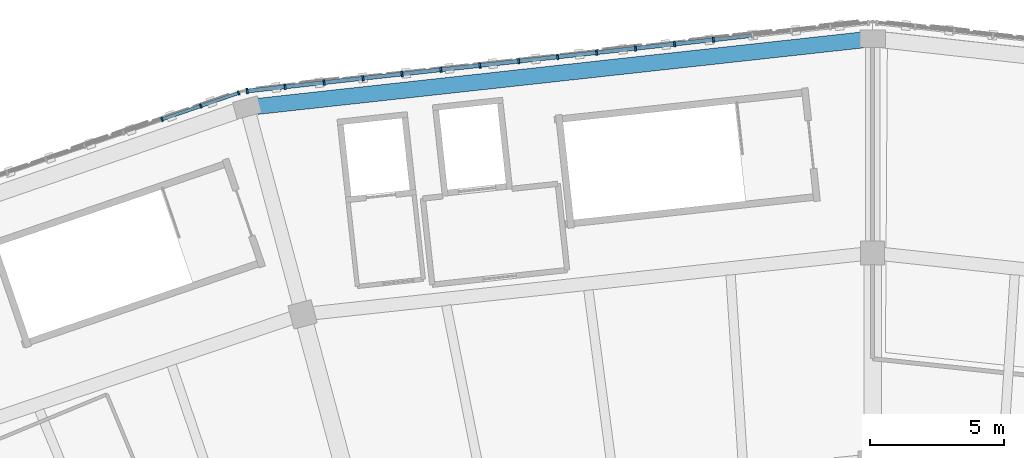
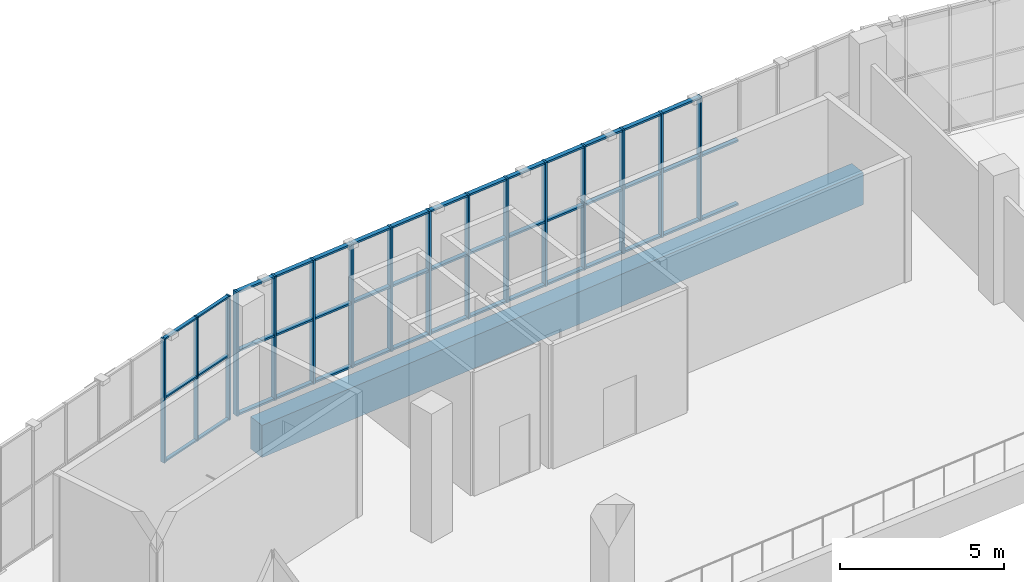
# One storey, part 27 of 64: 60 members, 1 beam, 2 elements without a shape of their own.
"""IFC4 building model written with IfcOpenShell, lengths in metres."""

from ifc_helpers import new_model, si_unit, direction, frame, origin, origin_2d, place, context, subcontext, project, spatial, rectangle, extrude, material, material_profile, profile_set, type_object, element, aggregate, save


model = new_model("IFC4")

# Units and contexts
model_context = context("Model", 3, precision=1e-05, world=origin(), true_north=direction((0.0, 1.0)))
body_context = subcontext(model_context, "Body", "Model", "MODEL_VIEW")
ifc_project = project(units=[si_unit("LENGTHUNIT", "METRE"), si_unit("AREAUNIT", "SQUARE_METRE"), si_unit("VOLUMEUNIT", "CUBIC_METRE"), si_unit("PLANEANGLEUNIT", "RADIAN"), si_unit("MASSUNIT", "GRAM", prefix="KILO")], contexts=[model_context])

# Site, building, storey
site_placement = place(None, origin())
site = spatial("IfcSite", under=ifc_project, at=site_placement, CompositionType="ELEMENT")
building_placement = place(site_placement, origin())
building = spatial("IfcBuilding", under=site, at=building_placement, Name="Zevraka Park Crest Stadium", CompositionType="ELEMENT")
storey_placement = place(building_placement, frame((0.0, 0.0, 24.60009765625)))
storey = spatial("IfcBuildingStorey", under=building, at=storey_placement, Name="L05", CompositionType="ELEMENT", Elevation=24.60009765625)

# Curtain wall, members
ifc_material_1 = material(Name="Anodised architectural aluminium and laminated safety glass", Category="aluminium")
curtain_wall_type_1 = type_object("IfcCurtainWallType", Name="CW22", PredefinedType="NOTDEFINED", material=ifc_material_1)
curtain_wall_1_placement = place(storey_placement, origin())
curtain_wall_1 = element("IfcCurtainWall", 1, at=curtain_wall_1_placement, inside=storey, type_object=curtain_wall_type_1, Name="Unitised Ring Curtain Wall CW22 L05-07", PredefinedType="NOTDEFINED")
ifc_material_2 = material(Name="Anodised architectural aluminium", Category="aluminium")
ifc_material_profile_1 = material_profile(ifc_material_2, rectangle(XDim=0.159912109375, YDim=0.06005859375, at=origin_2d()), Name="ALU MULLION 160x60")
ifc_profile_set_1 = profile_set([ifc_material_profile_1], Name="Anodised architectural aluminium")
member_type_1 = type_object("IfcMemberType", Name="CM01", PredefinedType="MULLION", material=ifc_profile_set_1)
member_1_placement = place(storey_placement, frame((88.312744140625, 165.279296875, 0.0), z_axis=(0.0, 0.0, 1.0), x_axis=(0.326929424834, -0.945048755979, 0.0)))
member_1 = element("IfcMember", 2, at=member_1_placement, type_object=member_type_1, Name="CW22 mullion 1", PredefinedType="MULLION", context=body_context, shape_type="SweptSolid", body=[
    extrude(rectangle(XDim=0.159912109375, YDim=0.06005859375, at=origin_2d()), origin(), (0.0, 0.0, 1.0), 4.619873046875),
])
member_2_placement = place(storey_placement, frame((86.8955078125, 164.788818359375, 0.0), z_axis=(0.0, 0.0, 1.0), x_axis=(0.326929424834, -0.945048755979, 0.0)))
member_2 = element("IfcMember", 3, at=member_2_placement, type_object=member_type_1, Name="CW22 mullion 2", PredefinedType="MULLION", context=body_context, shape_type="SweptSolid", body=[
    extrude(rectangle(XDim=0.159912109375, YDim=0.06005859375, at=origin_2d()), origin(), (0.0, 0.0, 1.0), 4.619873046875),
])
member_3_placement = place(storey_placement, frame((85.449951171875, 164.288818359375, 0.0), z_axis=(0.0, 0.0, 1.0), x_axis=(0.326929424834, -0.945048755979, 0.0)))
member_3 = element("IfcMember", 4, at=member_3_placement, type_object=member_type_1, Name="CW22 mullion 3", PredefinedType="MULLION", context=body_context, shape_type="SweptSolid", body=[
    extrude(rectangle(XDim=0.159912109375, YDim=0.06005859375, at=origin_2d()), origin(), (0.0, 0.0, 1.0), 4.619873046875),
])

ifc_material_3 = material(Name="Anodised architectural aluminium and laminated safety glass", Category="aluminium")
curtain_wall_type_2 = type_object("IfcCurtainWallType", Name="CW21", PredefinedType="NOTDEFINED", material=ifc_material_3)
curtain_wall_2_placement = place(storey_placement, origin())
curtain_wall_2 = element("IfcCurtainWall", 5, at=curtain_wall_2_placement, inside=storey, type_object=curtain_wall_type_2, Name="Unitised Ring Curtain Wall CW21 L05-06", PredefinedType="NOTDEFINED")
ifc_material_4 = material(Name="Anodised architectural aluminium", Category="aluminium")
ifc_material_profile_2 = material_profile(ifc_material_4, rectangle(XDim=0.199951171875, YDim=0.070068359375, at=origin_2d()), Name="ALU MULLION 200x70")
ifc_profile_set_2 = profile_set([ifc_material_profile_2], Name="Anodised architectural aluminium")
member_type_2 = type_object("IfcMemberType", Name="CM03", PredefinedType="MULLION", material=ifc_profile_set_2)
member_4_placement = place(storey_placement, frame((106.05126953125, 167.26513671875, 0.0), z_axis=(0.0, 0.0, 1.0), x_axis=(0.109287733215, -0.994010156572, 0.0)))
member_4 = element("IfcMember", 6, at=member_4_placement, type_object=member_type_2, Name="CW21 mullion 5", PredefinedType="MULLION", context=body_context, shape_type="SweptSolid", body=[
    extrude(rectangle(XDim=0.199951171875, YDim=0.070068359375, at=origin_2d()), origin(), (0.0, 0.0, 1.0), 4.619873046875),
])
member_5_placement = place(storey_placement, frame((104.5966796875, 167.105224609375, 0.0), z_axis=(0.0, 0.0, 1.0), x_axis=(0.109287733215, -0.994010156572, 0.0)))
member_5 = element("IfcMember", 7, at=member_5_placement, type_object=member_type_2, Name="CW21 mullion 6", PredefinedType="MULLION", context=body_context, shape_type="SweptSolid", body=[
    extrude(rectangle(XDim=0.199951171875, YDim=0.070068359375, at=origin_2d()), origin(), (0.0, 0.0, 1.0), 4.619873046875),
])
member_6_placement = place(storey_placement, frame((103.141845703125, 166.9453125, 0.0), z_axis=(0.0, 0.0, 1.0), x_axis=(0.109287733215, -0.994010156572, 0.0)))
member_6 = element("IfcMember", 8, at=member_6_placement, type_object=member_type_2, Name="CW21 mullion 7", PredefinedType="MULLION", context=body_context, shape_type="SweptSolid", body=[
    extrude(rectangle(XDim=0.199951171875, YDim=0.070068359375, at=origin_2d()), origin(), (0.0, 0.0, 1.0), 4.619873046875),
])
member_7_placement = place(storey_placement, frame((101.687255859375, 166.785400390625, 0.0), z_axis=(0.0, 0.0, 1.0), x_axis=(0.109287733215, -0.994010156572, 0.0)))
member_7 = element("IfcMember", 9, at=member_7_placement, type_object=member_type_2, Name="CW21 mullion 8", PredefinedType="MULLION", context=body_context, shape_type="SweptSolid", body=[
    extrude(rectangle(XDim=0.199951171875, YDim=0.070068359375, at=origin_2d()), origin(), (0.0, 0.0, 1.0), 4.619873046875),
])
member_8_placement = place(storey_placement, frame((100.232421875, 166.62548828125, 0.0), z_axis=(0.0, 0.0, 1.0), x_axis=(0.109287733215, -0.994010156572, 0.0)))
member_8 = element("IfcMember", 10, at=member_8_placement, type_object=member_type_2, Name="CW21 mullion 9", PredefinedType="MULLION", context=body_context, shape_type="SweptSolid", body=[
    extrude(rectangle(XDim=0.199951171875, YDim=0.070068359375, at=origin_2d()), origin(), (0.0, 0.0, 1.0), 4.619873046875),
])
member_9_placement = place(storey_placement, frame((98.77783203125, 166.465576171875, 0.0), z_axis=(0.0, 0.0, 1.0), x_axis=(0.109287733215, -0.994010156572, 0.0)))
member_9 = element("IfcMember", 11, at=member_9_placement, type_object=member_type_2, Name="CW21 mullion 10", PredefinedType="MULLION", context=body_context, shape_type="SweptSolid", body=[
    extrude(rectangle(XDim=0.199951171875, YDim=0.070068359375, at=origin_2d()), origin(), (0.0, 0.0, 1.0), 4.619873046875),
])
member_10_placement = place(storey_placement, frame((97.3232421875, 166.3056640625, 0.0), z_axis=(0.0, 0.0, 1.0), x_axis=(0.109287733215, -0.994010156572, 0.0)))
member_10 = element("IfcMember", 12, at=member_10_placement, type_object=member_type_2, Name="CW21 mullion 11", PredefinedType="MULLION", context=body_context, shape_type="SweptSolid", body=[
    extrude(rectangle(XDim=0.199951171875, YDim=0.070068359375, at=origin_2d()), origin(), (0.0, 0.0, 1.0), 4.619873046875),
])
member_11_placement = place(storey_placement, frame((95.868408203125, 166.145751953125, 0.0), z_axis=(0.0, 0.0, 1.0), x_axis=(0.109287733215, -0.994010156572, 0.0)))
member_11 = element("IfcMember", 13, at=member_11_placement, type_object=member_type_2, Name="CW21 mullion 12", PredefinedType="MULLION", context=body_context, shape_type="SweptSolid", body=[
    extrude(rectangle(XDim=0.199951171875, YDim=0.070068359375, at=origin_2d()), origin(), (0.0, 0.0, 1.0), 4.619873046875),
])
member_12_placement = place(storey_placement, frame((94.413818359375, 165.98583984375, 0.0), z_axis=(0.0, 0.0, 1.0), x_axis=(0.109287733215, -0.994010156572, 0.0)))
member_12 = element("IfcMember", 14, at=member_12_placement, type_object=member_type_2, Name="CW21 mullion 13", PredefinedType="MULLION", context=body_context, shape_type="SweptSolid", body=[
    extrude(rectangle(XDim=0.199951171875, YDim=0.070068359375, at=origin_2d()), origin(), (0.0, 0.0, 1.0), 4.619873046875),
])
member_13_placement = place(storey_placement, frame((92.958984375, 165.825927734375, 0.0), z_axis=(0.0, 0.0, 1.0), x_axis=(0.109287733215, -0.994010156572, 0.0)))
member_13 = element("IfcMember", 15, at=member_13_placement, type_object=member_type_2, Name="CW21 mullion 14", PredefinedType="MULLION", context=body_context, shape_type="SweptSolid", body=[
    extrude(rectangle(XDim=0.199951171875, YDim=0.070068359375, at=origin_2d()), origin(), (0.0, 0.0, 1.0), 4.619873046875),
])
member_14_placement = place(storey_placement, frame((91.50439453125, 165.665771484375, 0.0), z_axis=(0.0, 0.0, 1.0), x_axis=(0.109287733215, -0.994010156572, 0.0)))
member_14 = element("IfcMember", 16, at=member_14_placement, type_object=member_type_2, Name="CW21 mullion 15", PredefinedType="MULLION", context=body_context, shape_type="SweptSolid", body=[
    extrude(rectangle(XDim=0.199951171875, YDim=0.070068359375, at=origin_2d()), origin(), (0.0, 0.0, 1.0), 4.619873046875),
])
member_15_placement = place(storey_placement, frame((90.0498046875, 165.505859375, 0.0), z_axis=(0.0, 0.0, 1.0), x_axis=(0.109287733215, -0.994010156572, 0.0)))
member_15 = element("IfcMember", 17, at=member_15_placement, type_object=member_type_2, Name="CW21 mullion 16", PredefinedType="MULLION", context=body_context, shape_type="SweptSolid", body=[
    extrude(rectangle(XDim=0.199951171875, YDim=0.070068359375, at=origin_2d()), origin(), (0.0, 0.0, 1.0), 4.619873046875),
])
member_16_placement = place(storey_placement, frame((88.6298828125, 165.349853515625, 0.0), z_axis=(0.0, 0.0, 1.0), x_axis=(0.109287733215, -0.994010156572, 0.0)))
member_16 = element("IfcMember", 18, at=member_16_placement, type_object=member_type_2, Name="CW21 mullion 17", PredefinedType="MULLION", context=body_context, shape_type="SweptSolid", body=[
    extrude(rectangle(XDim=0.199951171875, YDim=0.070068359375, at=origin_2d()), origin(), (0.0, 0.0, 1.0), 4.619873046875),
])

# Member
ifc_material_5 = material(Name="Anodised architectural aluminium", Category="aluminium")
ifc_material_profile_3 = material_profile(ifc_material_5, rectangle(XDim=0.1201171875, YDim=0.06005859375, at=origin_2d()), Name="ALU TRANSOM 120x60")
ifc_profile_set_3 = profile_set([ifc_material_profile_3], Name="Anodised architectural aluminium")
member_type_3 = type_object("IfcMemberType", Name="CT01", PredefinedType="USERDEFINED", material=ifc_profile_set_3)
member_17_placement = place(storey_placement, frame((88.2841796875, 165.269287109375, 0.02978515625), z_axis=(-0.94507879558, -0.326842577007, 0.0), x_axis=(0.326842577007, -0.94507879558, 0.0)))
member_17 = element("IfcMember", 19, at=member_17_placement, type_object=member_type_3, Name="CW22 transom 1.1", ObjectType="TRANSOM", PredefinedType="USERDEFINED", context=body_context, shape_type="SweptSolid", body=[
    extrude(rectangle(XDim=0.1201171875, YDim=0.06005859375, at=origin_2d()), origin(), (0.0, 0.0, 1.0), 1.439453125),
])

member_18_placement = place(storey_placement, frame((88.2841796875, 165.269287109375, 2.39990234375), z_axis=(-0.94507879558, -0.326842577007, 0.0), x_axis=(0.326842577007, -0.94507879558, 0.0)))
member_18 = element("IfcMember", 20, at=member_18_placement, type_object=member_type_3, Name="CW22 transom 1.2", ObjectType="TRANSOM", PredefinedType="USERDEFINED", context=body_context, shape_type="SweptSolid", body=[
    extrude(rectangle(XDim=0.1201171875, YDim=0.06005859375, at=origin_2d()), origin(), (0.0, 0.0, 1.0), 1.439453125),
])

member_19_placement = place(storey_placement, frame((88.2841796875, 165.269287109375, 4.58984375), z_axis=(-0.94507879558, -0.326842577007, 0.0), x_axis=(0.326842577007, -0.94507879558, 0.0)))
member_19 = element("IfcMember", 21, at=member_19_placement, type_object=member_type_3, Name="CW22 transom 1.3", ObjectType="TRANSOM", PredefinedType="USERDEFINED", context=body_context, shape_type="SweptSolid", body=[
    extrude(rectangle(XDim=0.1201171875, YDim=0.06005859375, at=origin_2d()), origin(), (0.0, 0.0, 1.0), 1.439453125),
])

member_20_placement = place(storey_placement, frame((86.8671875, 164.779052734375, 0.02978515625), z_axis=(-0.945051229525, -0.326922274513, 0.0), x_axis=(0.326922274513, -0.945051229525, 0.0)))
member_20 = element("IfcMember", 22, at=member_20_placement, type_object=member_type_3, Name="CW22 transom 2.1", ObjectType="TRANSOM", PredefinedType="USERDEFINED", context=body_context, shape_type="SweptSolid", body=[
    extrude(rectangle(XDim=0.1201171875, YDim=0.06005859375, at=origin_2d()), origin(), (0.0, 0.0, 1.0), 1.4697265625),
])

member_21_placement = place(storey_placement, frame((86.8671875, 164.779052734375, 2.39990234375), z_axis=(-0.945051229525, -0.326922274513, 0.0), x_axis=(0.326922274513, -0.945051229525, 0.0)))
member_21 = element("IfcMember", 23, at=member_21_placement, type_object=member_type_3, Name="CW22 transom 2.2", ObjectType="TRANSOM", PredefinedType="USERDEFINED", context=body_context, shape_type="SweptSolid", body=[
    extrude(rectangle(XDim=0.1201171875, YDim=0.06005859375, at=origin_2d()), origin(), (0.0, 0.0, 1.0), 1.4697265625),
])

member_22_placement = place(storey_placement, frame((86.8671875, 164.779052734375, 4.58984375), z_axis=(-0.945051229525, -0.326922274513, 0.0), x_axis=(0.326922274513, -0.945051229525, 0.0)))
member_22 = element("IfcMember", 24, at=member_22_placement, type_object=member_type_3, Name="CW22 transom 2.3", ObjectType="TRANSOM", PredefinedType="USERDEFINED", context=body_context, shape_type="SweptSolid", body=[
    extrude(rectangle(XDim=0.1201171875, YDim=0.06005859375, at=origin_2d()), origin(), (0.0, 0.0, 1.0), 1.4697265625),
])

aggregate(curtain_wall_1, [member_1, member_2, member_3, member_17, member_18, member_19, member_20, member_21, member_22])

ifc_material_6 = material(Name="Anodised architectural aluminium", Category="aluminium")
ifc_material_profile_4 = material_profile(ifc_material_6, rectangle(XDim=0.14990234375, YDim=0.070068359375, at=origin_2d()), Name="ALU TRANSOM 150x70")
ifc_profile_set_4 = profile_set([ifc_material_profile_4], Name="Anodised architectural aluminium")
member_type_4 = type_object("IfcMemberType", Name="CT03", PredefinedType="USERDEFINED", material=ifc_profile_set_4)
member_23_placement = place(storey_placement, frame((107.47119140625, 167.42138671875, 0.034912109375), z_axis=(-0.994007021255, -0.109316246257, 0.0), x_axis=(0.109316246257, -0.994007021255, 0.0)))
member_23 = element("IfcMember", 25, at=member_23_placement, type_object=member_type_4, Name="CW21 transom 4.1", ObjectType="TRANSOM", PredefinedType="USERDEFINED", context=body_context, shape_type="SweptSolid", body=[
    extrude(rectangle(XDim=0.14990234375, YDim=0.070068359375, at=origin_2d()), origin(), (0.0, 0.0, 1.0), 1.3935546875),
])

member_24_placement = place(storey_placement, frame((107.47119140625, 167.42138671875, 2.39990234375), z_axis=(-0.994007021255, -0.109316246257, 0.0), x_axis=(0.109316246257, -0.994007021255, 0.0)))
member_24 = element("IfcMember", 26, at=member_24_placement, type_object=member_type_4, Name="CW21 transom 4.2", ObjectType="TRANSOM", PredefinedType="USERDEFINED", context=body_context, shape_type="SweptSolid", body=[
    extrude(rectangle(XDim=0.14990234375, YDim=0.070068359375, at=origin_2d()), origin(), (0.0, 0.0, 1.0), 1.3935546875),
])

member_25_placement = place(storey_placement, frame((106.016357421875, 167.261474609375, 0.034912109375), z_axis=(-0.994004927225, -0.109335285491, 0.0), x_axis=(0.109335285491, -0.994004927225, 0.0)))
member_25 = element("IfcMember", 27, at=member_25_placement, type_object=member_type_4, Name="CW21 transom 5.1", ObjectType="TRANSOM", PredefinedType="USERDEFINED", context=body_context, shape_type="SweptSolid", body=[
    extrude(rectangle(XDim=0.14990234375, YDim=0.070068359375, at=origin_2d()), origin(), (0.0, 0.0, 1.0), 1.393310546875),
])

member_26_placement = place(storey_placement, frame((106.016357421875, 167.261474609375, 2.39990234375), z_axis=(-0.994004927225, -0.109335285491, 0.0), x_axis=(0.109335285491, -0.994004927225, 0.0)))
member_26 = element("IfcMember", 28, at=member_26_placement, type_object=member_type_4, Name="CW21 transom 5.2", ObjectType="TRANSOM", PredefinedType="USERDEFINED", context=body_context, shape_type="SweptSolid", body=[
    extrude(rectangle(XDim=0.14990234375, YDim=0.070068359375, at=origin_2d()), origin(), (0.0, 0.0, 1.0), 1.393310546875),
])

member_27_placement = place(storey_placement, frame((106.016357421875, 167.261474609375, 4.5849609375), z_axis=(-0.994004927225, -0.109335285491, 0.0), x_axis=(0.109335285491, -0.994004927225, 0.0)))
member_27 = element("IfcMember", 29, at=member_27_placement, type_object=member_type_4, Name="CW21 transom 5.3", ObjectType="TRANSOM", PredefinedType="USERDEFINED", context=body_context, shape_type="SweptSolid", body=[
    extrude(rectangle(XDim=0.14990234375, YDim=0.070068359375, at=origin_2d()), origin(), (0.0, 0.0, 1.0), 1.393310546875),
])

member_28_placement = place(storey_placement, frame((104.561767578125, 167.1015625, 0.034912109375), z_axis=(-0.994004927225, -0.109335285491, 0.0), x_axis=(0.109335285491, -0.994004927225, 0.0)))
member_28 = element("IfcMember", 30, at=member_28_placement, type_object=member_type_4, Name="CW21 transom 6.1", ObjectType="TRANSOM", PredefinedType="USERDEFINED", context=body_context, shape_type="SweptSolid", body=[
    extrude(rectangle(XDim=0.14990234375, YDim=0.070068359375, at=origin_2d()), origin(), (0.0, 0.0, 1.0), 1.393310546875),
])

member_29_placement = place(storey_placement, frame((104.561767578125, 167.1015625, 2.39990234375), z_axis=(-0.994004927225, -0.109335285491, 0.0), x_axis=(0.109335285491, -0.994004927225, 0.0)))
member_29 = element("IfcMember", 31, at=member_29_placement, type_object=member_type_4, Name="CW21 transom 6.2", ObjectType="TRANSOM", PredefinedType="USERDEFINED", context=body_context, shape_type="SweptSolid", body=[
    extrude(rectangle(XDim=0.14990234375, YDim=0.070068359375, at=origin_2d()), origin(), (0.0, 0.0, 1.0), 1.393310546875),
])

member_30_placement = place(storey_placement, frame((104.561767578125, 167.1015625, 4.5849609375), z_axis=(-0.994004927225, -0.109335285491, 0.0), x_axis=(0.109335285491, -0.994004927225, 0.0)))
member_30 = element("IfcMember", 32, at=member_30_placement, type_object=member_type_4, Name="CW21 transom 6.3", ObjectType="TRANSOM", PredefinedType="USERDEFINED", context=body_context, shape_type="SweptSolid", body=[
    extrude(rectangle(XDim=0.14990234375, YDim=0.070068359375, at=origin_2d()), origin(), (0.0, 0.0, 1.0), 1.393310546875),
])

member_31_placement = place(storey_placement, frame((103.107177734375, 166.941650390625, 0.034912109375), z_axis=(-0.994007021255, -0.109316246257, 0.0), x_axis=(0.109316246257, -0.994007021255, 0.0)))
member_31 = element("IfcMember", 33, at=member_31_placement, type_object=member_type_4, Name="CW21 transom 7.1", ObjectType="TRANSOM", PredefinedType="USERDEFINED", context=body_context, shape_type="SweptSolid", body=[
    extrude(rectangle(XDim=0.14990234375, YDim=0.070068359375, at=origin_2d()), origin(), (0.0, 0.0, 1.0), 1.3935546875),
])

member_32_placement = place(storey_placement, frame((103.107177734375, 166.941650390625, 2.39990234375), z_axis=(-0.994007021255, -0.109316246257, 0.0), x_axis=(0.109316246257, -0.994007021255, 0.0)))
member_32 = element("IfcMember", 34, at=member_32_placement, type_object=member_type_4, Name="CW21 transom 7.2", ObjectType="TRANSOM", PredefinedType="USERDEFINED", context=body_context, shape_type="SweptSolid", body=[
    extrude(rectangle(XDim=0.14990234375, YDim=0.070068359375, at=origin_2d()), origin(), (0.0, 0.0, 1.0), 1.3935546875),
])

member_33_placement = place(storey_placement, frame((103.107177734375, 166.941650390625, 4.5849609375), z_axis=(-0.994007021255, -0.109316246257, 0.0), x_axis=(0.109316246257, -0.994007021255, 0.0)))
member_33 = element("IfcMember", 35, at=member_33_placement, type_object=member_type_4, Name="CW21 transom 7.3", ObjectType="TRANSOM", PredefinedType="USERDEFINED", context=body_context, shape_type="SweptSolid", body=[
    extrude(rectangle(XDim=0.14990234375, YDim=0.070068359375, at=origin_2d()), origin(), (0.0, 0.0, 1.0), 1.3935546875),
])

member_34_placement = place(storey_placement, frame((101.65234375, 166.781494140625, 0.034912109375), z_axis=(-0.994023955042, -0.109162158292, 0.0), x_axis=(0.109162158292, -0.994023955042, 0.0)))
member_34 = element("IfcMember", 36, at=member_34_placement, type_object=member_type_4, Name="CW21 transom 8.1", ObjectType="TRANSOM", PredefinedType="USERDEFINED", context=body_context, shape_type="SweptSolid", body=[
    extrude(rectangle(XDim=0.14990234375, YDim=0.070068359375, at=origin_2d()), origin(), (0.0, 0.0, 1.0), 1.393310546875),
])

member_35_placement = place(storey_placement, frame((101.65234375, 166.781494140625, 2.39990234375), z_axis=(-0.994023955042, -0.109162158292, 0.0), x_axis=(0.109162158292, -0.994023955042, 0.0)))
member_35 = element("IfcMember", 37, at=member_35_placement, type_object=member_type_4, Name="CW21 transom 8.2", ObjectType="TRANSOM", PredefinedType="USERDEFINED", context=body_context, shape_type="SweptSolid", body=[
    extrude(rectangle(XDim=0.14990234375, YDim=0.070068359375, at=origin_2d()), origin(), (0.0, 0.0, 1.0), 1.393310546875),
])

member_36_placement = place(storey_placement, frame((101.65234375, 166.781494140625, 4.5849609375), z_axis=(-0.994023955042, -0.109162158292, 0.0), x_axis=(0.109162158292, -0.994023955042, 0.0)))
member_36 = element("IfcMember", 38, at=member_36_placement, type_object=member_type_4, Name="CW21 transom 8.3", ObjectType="TRANSOM", PredefinedType="USERDEFINED", context=body_context, shape_type="SweptSolid", body=[
    extrude(rectangle(XDim=0.14990234375, YDim=0.070068359375, at=origin_2d()), origin(), (0.0, 0.0, 1.0), 1.393310546875),
])

member_37_placement = place(storey_placement, frame((100.19775390625, 166.62158203125, 0.034912109375), z_axis=(-0.994026042486, -0.109143148479, 0.0), x_axis=(0.109143148479, -0.994026042486, 0.0)))
member_37 = element("IfcMember", 39, at=member_37_placement, type_object=member_type_4, Name="CW21 transom 9.1", ObjectType="TRANSOM", PredefinedType="USERDEFINED", context=body_context, shape_type="SweptSolid", body=[
    extrude(rectangle(XDim=0.14990234375, YDim=0.070068359375, at=origin_2d()), origin(), (0.0, 0.0, 1.0), 1.3935546875),
])

member_38_placement = place(storey_placement, frame((100.19775390625, 166.62158203125, 2.39990234375), z_axis=(-0.994026042486, -0.109143148479, 0.0), x_axis=(0.109143148479, -0.994026042486, 0.0)))
member_38 = element("IfcMember", 40, at=member_38_placement, type_object=member_type_4, Name="CW21 transom 9.2", ObjectType="TRANSOM", PredefinedType="USERDEFINED", context=body_context, shape_type="SweptSolid", body=[
    extrude(rectangle(XDim=0.14990234375, YDim=0.070068359375, at=origin_2d()), origin(), (0.0, 0.0, 1.0), 1.3935546875),
])

member_39_placement = place(storey_placement, frame((100.19775390625, 166.62158203125, 4.5849609375), z_axis=(-0.994026042486, -0.109143148479, 0.0), x_axis=(0.109143148479, -0.994026042486, 0.0)))
member_39 = element("IfcMember", 41, at=member_39_placement, type_object=member_type_4, Name="CW21 transom 9.3", ObjectType="TRANSOM", PredefinedType="USERDEFINED", context=body_context, shape_type="SweptSolid", body=[
    extrude(rectangle(XDim=0.14990234375, YDim=0.070068359375, at=origin_2d()), origin(), (0.0, 0.0, 1.0), 1.3935546875),
])

member_40_placement = place(storey_placement, frame((98.742919921875, 166.461669921875, 0.034912109375), z_axis=(-0.994023955042, -0.109162158292, 0.0), x_axis=(0.109162158292, -0.994023955042, 0.0)))
member_40 = element("IfcMember", 42, at=member_40_placement, type_object=member_type_4, Name="CW21 transom 10.1", ObjectType="TRANSOM", PredefinedType="USERDEFINED", context=body_context, shape_type="SweptSolid", body=[
    extrude(rectangle(XDim=0.14990234375, YDim=0.070068359375, at=origin_2d()), origin(), (0.0, 0.0, 1.0), 1.393310546875),
])

member_41_placement = place(storey_placement, frame((98.742919921875, 166.461669921875, 2.39990234375), z_axis=(-0.994023955042, -0.109162158292, 0.0), x_axis=(0.109162158292, -0.994023955042, 0.0)))
member_41 = element("IfcMember", 43, at=member_41_placement, type_object=member_type_4, Name="CW21 transom 10.2", ObjectType="TRANSOM", PredefinedType="USERDEFINED", context=body_context, shape_type="SweptSolid", body=[
    extrude(rectangle(XDim=0.14990234375, YDim=0.070068359375, at=origin_2d()), origin(), (0.0, 0.0, 1.0), 1.393310546875),
])

member_42_placement = place(storey_placement, frame((98.742919921875, 166.461669921875, 4.5849609375), z_axis=(-0.994023955042, -0.109162158292, 0.0), x_axis=(0.109162158292, -0.994023955042, 0.0)))
member_42 = element("IfcMember", 44, at=member_42_placement, type_object=member_type_4, Name="CW21 transom 10.3", ObjectType="TRANSOM", PredefinedType="USERDEFINED", context=body_context, shape_type="SweptSolid", body=[
    extrude(rectangle(XDim=0.14990234375, YDim=0.070068359375, at=origin_2d()), origin(), (0.0, 0.0, 1.0), 1.393310546875),
])

member_43_placement = place(storey_placement, frame((97.288330078125, 166.3017578125, 0.034912109375), z_axis=(-0.994004927225, -0.109335285491, 0.0), x_axis=(0.109335285491, -0.994004927225, 0.0)))
member_43 = element("IfcMember", 45, at=member_43_placement, type_object=member_type_4, Name="CW21 transom 11.1", ObjectType="TRANSOM", PredefinedType="USERDEFINED", context=body_context, shape_type="SweptSolid", body=[
    extrude(rectangle(XDim=0.14990234375, YDim=0.070068359375, at=origin_2d()), origin(), (0.0, 0.0, 1.0), 1.393310546875),
])

member_44_placement = place(storey_placement, frame((97.288330078125, 166.3017578125, 2.39990234375), z_axis=(-0.994004927225, -0.109335285491, 0.0), x_axis=(0.109335285491, -0.994004927225, 0.0)))
member_44 = element("IfcMember", 46, at=member_44_placement, type_object=member_type_4, Name="CW21 transom 11.2", ObjectType="TRANSOM", PredefinedType="USERDEFINED", context=body_context, shape_type="SweptSolid", body=[
    extrude(rectangle(XDim=0.14990234375, YDim=0.070068359375, at=origin_2d()), origin(), (0.0, 0.0, 1.0), 1.393310546875),
])

member_45_placement = place(storey_placement, frame((97.288330078125, 166.3017578125, 4.5849609375), z_axis=(-0.994004927225, -0.109335285491, 0.0), x_axis=(0.109335285491, -0.994004927225, 0.0)))
member_45 = element("IfcMember", 47, at=member_45_placement, type_object=member_type_4, Name="CW21 transom 11.3", ObjectType="TRANSOM", PredefinedType="USERDEFINED", context=body_context, shape_type="SweptSolid", body=[
    extrude(rectangle(XDim=0.14990234375, YDim=0.070068359375, at=origin_2d()), origin(), (0.0, 0.0, 1.0), 1.393310546875),
])

member_46_placement = place(storey_placement, frame((95.833740234375, 166.141845703125, 0.034912109375), z_axis=(-0.994007021255, -0.109316246257, 0.0), x_axis=(0.109316246257, -0.994007021255, 0.0)))
member_46 = element("IfcMember", 48, at=member_46_placement, type_object=member_type_4, Name="CW21 transom 12.1", ObjectType="TRANSOM", PredefinedType="USERDEFINED", context=body_context, shape_type="SweptSolid", body=[
    extrude(rectangle(XDim=0.14990234375, YDim=0.070068359375, at=origin_2d()), origin(), (0.0, 0.0, 1.0), 1.3935546875),
])

member_47_placement = place(storey_placement, frame((95.833740234375, 166.141845703125, 2.39990234375), z_axis=(-0.994007021255, -0.109316246257, 0.0), x_axis=(0.109316246257, -0.994007021255, 0.0)))
member_47 = element("IfcMember", 49, at=member_47_placement, type_object=member_type_4, Name="CW21 transom 12.2", ObjectType="TRANSOM", PredefinedType="USERDEFINED", context=body_context, shape_type="SweptSolid", body=[
    extrude(rectangle(XDim=0.14990234375, YDim=0.070068359375, at=origin_2d()), origin(), (0.0, 0.0, 1.0), 1.3935546875),
])

member_48_placement = place(storey_placement, frame((95.833740234375, 166.141845703125, 4.5849609375), z_axis=(-0.994007021255, -0.109316246257, 0.0), x_axis=(0.109316246257, -0.994007021255, 0.0)))
member_48 = element("IfcMember", 50, at=member_48_placement, type_object=member_type_4, Name="CW21 transom 12.3", ObjectType="TRANSOM", PredefinedType="USERDEFINED", context=body_context, shape_type="SweptSolid", body=[
    extrude(rectangle(XDim=0.14990234375, YDim=0.070068359375, at=origin_2d()), origin(), (0.0, 0.0, 1.0), 1.3935546875),
])

member_49_placement = place(storey_placement, frame((94.37890625, 165.98193359375, 0.034912109375), z_axis=(-0.994004927225, -0.109335285491, 0.0), x_axis=(0.109335285491, -0.994004927225, 0.0)))
member_49 = element("IfcMember", 51, at=member_49_placement, type_object=member_type_4, Name="CW21 transom 13.1", ObjectType="TRANSOM", PredefinedType="USERDEFINED", context=body_context, shape_type="SweptSolid", body=[
    extrude(rectangle(XDim=0.14990234375, YDim=0.070068359375, at=origin_2d()), origin(), (0.0, 0.0, 1.0), 1.393310546875),
])

member_50_placement = place(storey_placement, frame((94.37890625, 165.98193359375, 2.39990234375), z_axis=(-0.994004927225, -0.109335285491, 0.0), x_axis=(0.109335285491, -0.994004927225, 0.0)))
member_50 = element("IfcMember", 52, at=member_50_placement, type_object=member_type_4, Name="CW21 transom 13.2", ObjectType="TRANSOM", PredefinedType="USERDEFINED", context=body_context, shape_type="SweptSolid", body=[
    extrude(rectangle(XDim=0.14990234375, YDim=0.070068359375, at=origin_2d()), origin(), (0.0, 0.0, 1.0), 1.393310546875),
])

member_51_placement = place(storey_placement, frame((94.37890625, 165.98193359375, 4.5849609375), z_axis=(-0.994004927225, -0.109335285491, 0.0), x_axis=(0.109335285491, -0.994004927225, 0.0)))
member_51 = element("IfcMember", 53, at=member_51_placement, type_object=member_type_4, Name="CW21 transom 13.3", ObjectType="TRANSOM", PredefinedType="USERDEFINED", context=body_context, shape_type="SweptSolid", body=[
    extrude(rectangle(XDim=0.14990234375, YDim=0.070068359375, at=origin_2d()), origin(), (0.0, 0.0, 1.0), 1.393310546875),
])

member_52_placement = place(storey_placement, frame((92.92431640625, 165.822021484375, 0.034912109375), z_axis=(-0.994007021255, -0.109316246257, 0.0), x_axis=(0.109316246257, -0.994007021255, 0.0)))
member_52 = element("IfcMember", 54, at=member_52_placement, type_object=member_type_4, Name="CW21 transom 14.1", ObjectType="TRANSOM", PredefinedType="USERDEFINED", context=body_context, shape_type="SweptSolid", body=[
    extrude(rectangle(XDim=0.14990234375, YDim=0.070068359375, at=origin_2d()), origin(), (0.0, 0.0, 1.0), 1.3935546875),
])

member_53_placement = place(storey_placement, frame((92.92431640625, 165.822021484375, 2.39990234375), z_axis=(-0.994007021255, -0.109316246257, 0.0), x_axis=(0.109316246257, -0.994007021255, 0.0)))
member_53 = element("IfcMember", 55, at=member_53_placement, type_object=member_type_4, Name="CW21 transom 14.2", ObjectType="TRANSOM", PredefinedType="USERDEFINED", context=body_context, shape_type="SweptSolid", body=[
    extrude(rectangle(XDim=0.14990234375, YDim=0.070068359375, at=origin_2d()), origin(), (0.0, 0.0, 1.0), 1.3935546875),
])

member_54_placement = place(storey_placement, frame((92.92431640625, 165.822021484375, 4.5849609375), z_axis=(-0.994007021255, -0.109316246257, 0.0), x_axis=(0.109316246257, -0.994007021255, 0.0)))
member_54 = element("IfcMember", 56, at=member_54_placement, type_object=member_type_4, Name="CW21 transom 14.3", ObjectType="TRANSOM", PredefinedType="USERDEFINED", context=body_context, shape_type="SweptSolid", body=[
    extrude(rectangle(XDim=0.14990234375, YDim=0.070068359375, at=origin_2d()), origin(), (0.0, 0.0, 1.0), 1.3935546875),
])

member_55_placement = place(storey_placement, frame((91.469482421875, 165.662109375, 0.034912109375), z_axis=(-0.994004927225, -0.109335285491, 0.0), x_axis=(0.109335285491, -0.994004927225, 0.0)))
member_55 = element("IfcMember", 57, at=member_55_placement, type_object=member_type_4, Name="CW21 transom 15.1", ObjectType="TRANSOM", PredefinedType="USERDEFINED", context=body_context, shape_type="SweptSolid", body=[
    extrude(rectangle(XDim=0.14990234375, YDim=0.070068359375, at=origin_2d()), origin(), (0.0, 0.0, 1.0), 1.393310546875),
])

member_56_placement = place(storey_placement, frame((91.469482421875, 165.662109375, 2.39990234375), z_axis=(-0.994004927225, -0.109335285491, 0.0), x_axis=(0.109335285491, -0.994004927225, 0.0)))
member_56 = element("IfcMember", 58, at=member_56_placement, type_object=member_type_4, Name="CW21 transom 15.2", ObjectType="TRANSOM", PredefinedType="USERDEFINED", context=body_context, shape_type="SweptSolid", body=[
    extrude(rectangle(XDim=0.14990234375, YDim=0.070068359375, at=origin_2d()), origin(), (0.0, 0.0, 1.0), 1.393310546875),
])

member_57_placement = place(storey_placement, frame((91.469482421875, 165.662109375, 4.5849609375), z_axis=(-0.994004927225, -0.109335285491, 0.0), x_axis=(0.109335285491, -0.994004927225, 0.0)))
member_57 = element("IfcMember", 59, at=member_57_placement, type_object=member_type_4, Name="CW21 transom 15.3", ObjectType="TRANSOM", PredefinedType="USERDEFINED", context=body_context, shape_type="SweptSolid", body=[
    extrude(rectangle(XDim=0.14990234375, YDim=0.070068359375, at=origin_2d()), origin(), (0.0, 0.0, 1.0), 1.393310546875),
])

member_58_placement = place(storey_placement, frame((90.014892578125, 165.502197265625, 0.034912109375), z_axis=(-0.994012361586, -0.10926767598, 0.0), x_axis=(0.10926767598, -0.994012361586, 0.0)))
member_58 = element("IfcMember", 60, at=member_58_placement, type_object=member_type_4, Name="CW21 transom 16.1", ObjectType="TRANSOM", PredefinedType="USERDEFINED", context=body_context, shape_type="SweptSolid", body=[
    extrude(rectangle(XDim=0.14990234375, YDim=0.070068359375, at=origin_2d()), origin(), (0.0, 0.0, 1.0), 1.3583984375),
])

member_59_placement = place(storey_placement, frame((90.014892578125, 165.502197265625, 2.39990234375), z_axis=(-0.994012361586, -0.10926767598, 0.0), x_axis=(0.10926767598, -0.994012361586, 0.0)))
member_59 = element("IfcMember", 61, at=member_59_placement, type_object=member_type_4, Name="CW21 transom 16.2", ObjectType="TRANSOM", PredefinedType="USERDEFINED", context=body_context, shape_type="SweptSolid", body=[
    extrude(rectangle(XDim=0.14990234375, YDim=0.070068359375, at=origin_2d()), origin(), (0.0, 0.0, 1.0), 1.3583984375),
])

member_60_placement = place(storey_placement, frame((90.014892578125, 165.502197265625, 4.5849609375), z_axis=(-0.994012361586, -0.10926767598, 0.0), x_axis=(0.10926767598, -0.994012361586, 0.0)))
member_60 = element("IfcMember", 62, at=member_60_placement, type_object=member_type_4, Name="CW21 transom 16.3", ObjectType="TRANSOM", PredefinedType="USERDEFINED", context=body_context, shape_type="SweptSolid", body=[
    extrude(rectangle(XDim=0.14990234375, YDim=0.070068359375, at=origin_2d()), origin(), (0.0, 0.0, 1.0), 1.3583984375),
])

aggregate(curtain_wall_2, [member_4, member_5, member_6, member_7, member_8, member_9, member_10, member_11, member_12, member_13, member_14, member_15, member_16, member_23, member_24, member_25, member_26, member_27, member_28, member_29, member_30, member_31, member_32, member_33, member_34, member_35, member_36, member_37, member_38, member_39, member_40, member_41, member_42, member_43, member_44, member_45, member_46, member_47, member_48, member_49, member_50, member_51, member_52, member_53, member_54, member_55, member_56, member_57, member_58, member_59, member_60])

# Beam
ifc_material_7 = material(Name="Concrete C40/50", Category="concrete")
ifc_material_profile_5 = material_profile(ifc_material_7, rectangle(XDim=0.60009765625, YDim=1.199951171875, at=origin_2d()), Name="RC 1200x600")
ifc_profile_set_5 = profile_set([ifc_material_profile_5], Name="Concrete C40/50")
beam_type = type_object("IfcBeamType", Name="RB01", PredefinedType="BEAM", material=ifc_profile_set_5)
beam_placement = place(storey_placement, frame((111.6220703125, 167.259033203125, -0.610107421875), z_axis=(-0.994021150509, -0.109187693174, 0.0), x_axis=(0.109187693174, -0.994021150509, 0.0)))
element("IfcBeam", 63, at=beam_placement, inside=storey, type_object=beam_type, Name="Ring Beam RB01 L05-D-06", PredefinedType="BEAM", context=body_context, shape_type="SweptSolid", body=[
    extrude(rectangle(XDim=0.60009765625, YDim=1.199951171875, at=origin_2d()), origin(), (0.0, 0.0, 1.0), 22.7509765625),
])

save(model, "model.ifc")
